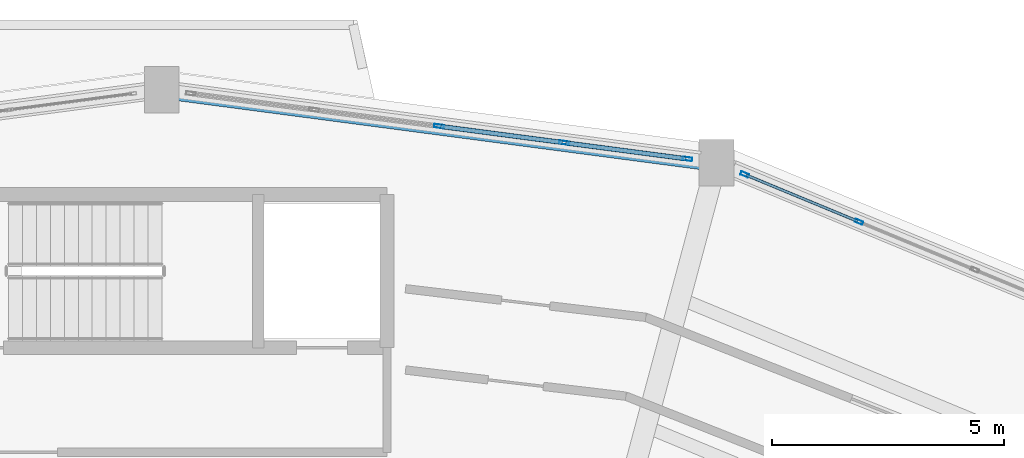
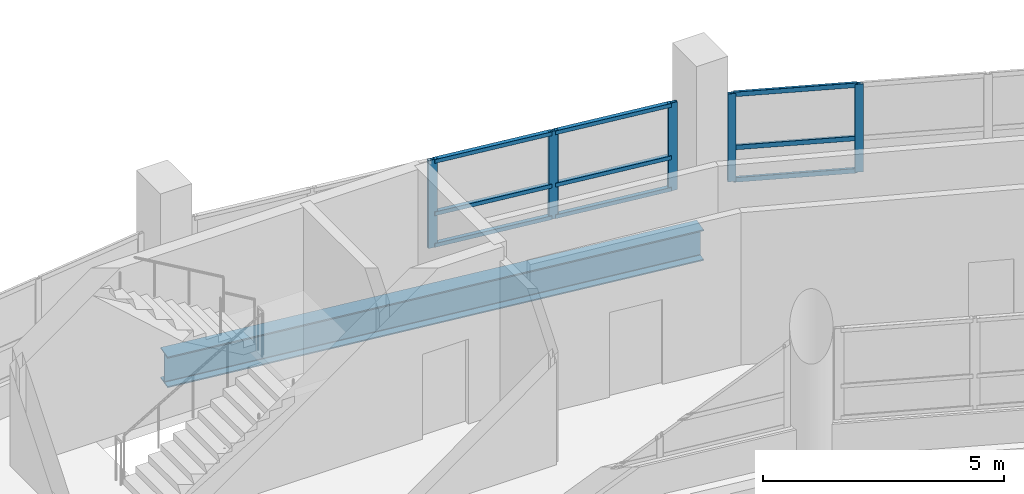
# One storey, part 71 of 128: 14 members, 1 beam, 2 elements without a shape of their own.
"""IFC4 building model written with IfcOpenShell, lengths in metres."""

from ifc_helpers import new_model, si_unit, direction, frame, origin, origin_2d, place, context, subcontext, project, spatial, hollow_rectangle, i_section, extrude, material, layer, layer_set, material_profile, profile_set, type_object, element, aggregate, save


model = new_model("IFC4")

# Units and contexts
model_context = context("Model", 3, precision=1e-05, world=origin(), true_north=direction((0.0, 1.0)))
body_context = subcontext(model_context, "Body", "Model", "MODEL_VIEW")
ifc_project = project(units=[si_unit("LENGTHUNIT", "METRE"), si_unit("AREAUNIT", "SQUARE_METRE"), si_unit("VOLUMEUNIT", "CUBIC_METRE"), si_unit("PLANEANGLEUNIT", "RADIAN"), si_unit("MASSUNIT", "GRAM", prefix="KILO")], contexts=[model_context])

# Site, building, storey
site_placement = place(None, origin())
site = spatial("IfcSite", under=ifc_project, at=site_placement, CompositionType="ELEMENT")
building_placement = place(site_placement, origin())
building = spatial("IfcBuilding", under=site, at=building_placement, Name="Vespera Passage Community Centre", CompositionType="ELEMENT")
storey_placement = place(building_placement, frame((0.0, 0.0, 4.5)))
storey = spatial("IfcBuildingStorey", under=building, at=storey_placement, Name="L01", CompositionType="ELEMENT", Elevation=4.5)

# Beam
ifc_material_1 = material(Name="Steel ASTM A992 Grade 50", Category="steel")
ifc_material_profile_1 = material_profile(ifc_material_1, i_section(OverallWidth=0.382080078125, OverallDepth=0.779296875, WebThickness=0.01806640625, FlangeThickness=0.030029296875, FilletRadius=0.0166015625, at=origin_2d()), Name="W30X191")
ifc_profile_set_1 = profile_set([ifc_material_profile_1], Name="Steel ASTM A992 Grade 50")
beam_type = type_object("IfcBeamType", Name="BM-SP-W30X191E", PredefinedType="SPANDREL", material=ifc_profile_set_1)
beam_placement = place(storey_placement, frame((89.931640625, 110.029296875, -0.629638671875), z_axis=(-0.991445178667, 0.130523782115, 0.0), x_axis=(-0.130523782115, -0.991445178667, 0.0)))
element("IfcBeam", 1, at=beam_placement, inside=storey, type_object=beam_type, Name="V4 L01 Outer Spandrel 5", PredefinedType="SPANDREL", context=body_context, shape_type="SweptSolid", body=[
    extrude(i_section(OverallWidth=0.382080078125, OverallDepth=0.779296875, WebThickness=0.01806640625, FlangeThickness=0.030029296875, FilletRadius=0.0166015625, at=origin_2d()), origin(), (0.0, 0.0, 1.0), 12.03466796875),
])

# Curtain wall, members
ifc_material_2 = material(Name="Anodized aluminium 6063-T6", Category="aluminium")
ifc_layer_1 = layer(ifc_material_2, 0.159912109375)
ifc_layer_set_1 = layer_set([ifc_layer_1], Name="Anodized aluminium 6063-T6")
curtain_wall_type_1 = type_object("IfcCurtainWallType", Name="CW-11E", PredefinedType="NOTDEFINED", material=ifc_layer_set_1)
curtain_wall_1_placement = place(storey_placement, origin())
curtain_wall_1 = element("IfcCurtainWall", 2, at=curtain_wall_1_placement, inside=storey, type_object=curtain_wall_type_1, Name="V4 L01 Outer Ribbon Curtain Wall 4", PredefinedType="NOTDEFINED")
ifc_material_3 = material(Name="Anodized aluminium 6063-T6", Category="aluminium")
ifc_material_profile_2 = material_profile(ifc_material_3, hollow_rectangle(XDim=0.074951171875, YDim=0.179931640625, WallThickness=0.0048828125, InnerFilletRadius=0.00244140625, OuterFilletRadius=0.0048828125, at=origin_2d()), Name="ALU180X75X5")
ifc_profile_set_2 = profile_set([ifc_material_profile_2], Name="Anodized aluminium 6063-T6")
member_type_1 = type_object("IfcMemberType", Name="MB-CWM-180E", PredefinedType="MULLION", material=ifc_profile_set_2)
member_1_placement = place(storey_placement, frame((90.539794921875, 109.77734375, 0.820068359375), z_axis=(0.0, 0.0, 1.0), x_axis=(0.382682936255, 0.923879738007, 0.0)))
member_1 = element("IfcMember", 3, at=member_1_placement, type_object=member_type_1, Name="CW-11E mullion 1", PredefinedType="MULLION", context=body_context, shape_type="SweptSolid", body=[
    extrude(hollow_rectangle(XDim=0.074951171875, YDim=0.179931640625, WallThickness=0.0048828125, InnerFilletRadius=0.00244140625, OuterFilletRadius=0.0048828125, at=origin_2d()), origin(), (0.0, 0.0, 1.0), 2.2255859375),
])
member_2_placement = place(storey_placement, frame((92.998046875, 108.759033203125, 0.820068359375), z_axis=(0.0, 0.0, 1.0), x_axis=(0.382682936255, 0.923879738007, 0.0)))
member_2 = element("IfcMember", 4, at=member_2_placement, type_object=member_type_1, Name="CW-11E mullion 2", PredefinedType="MULLION", context=body_context, shape_type="SweptSolid", body=[
    extrude(hollow_rectangle(XDim=0.074951171875, YDim=0.179931640625, WallThickness=0.0048828125, InnerFilletRadius=0.00244140625, OuterFilletRadius=0.0048828125, at=origin_2d()), origin(), (0.0, 0.0, 1.0), 2.2255859375),
])

ifc_material_4 = material(Name="Anodized aluminium 6063-T6", Category="aluminium")
ifc_layer_2 = layer(ifc_material_4, 0.159912109375)
ifc_layer_set_2 = layer_set([ifc_layer_2], Name="Anodized aluminium 6063-T6")
curtain_wall_type_2 = type_object("IfcCurtainWallType", Name="CW-13E", PredefinedType="NOTDEFINED", material=ifc_layer_set_2)
curtain_wall_2_placement = place(storey_placement, origin())
curtain_wall_2 = element("IfcCurtainWall", 5, at=curtain_wall_2_placement, inside=storey, type_object=curtain_wall_type_2, Name="V4 L01 Outer Ribbon Curtain Wall 5", PredefinedType="NOTDEFINED")
ifc_material_5 = material(Name="Anodized aluminium 6063-T6", Category="aluminium")
ifc_material_profile_3 = material_profile(ifc_material_5, hollow_rectangle(XDim=0.074951171875, YDim=0.2099609375, WallThickness=0.0048828125, InnerFilletRadius=0.00244140625, OuterFilletRadius=0.0048828125, at=origin_2d()), Name="ALU210X75X5")
ifc_profile_set_3 = profile_set([ifc_material_profile_3], Name="Anodized aluminium 6063-T6")
member_type_2 = type_object("IfcMemberType", Name="MB-CWM-210E", PredefinedType="MULLION", material=ifc_profile_set_3)
member_3_placement = place(storey_placement, frame((83.9658203125, 110.814697265625, 0.820068359375), z_axis=(0.0, 0.0, 1.0), x_axis=(0.130530818696, 0.991444252276, 0.0)))
member_3 = element("IfcMember", 6, at=member_3_placement, type_object=member_type_2, Name="CW-13E mullion 3", PredefinedType="MULLION", context=body_context, shape_type="SweptSolid", body=[
    extrude(hollow_rectangle(XDim=0.074951171875, YDim=0.2099609375, WallThickness=0.0048828125, InnerFilletRadius=0.00244140625, OuterFilletRadius=0.0048828125, at=origin_2d()), origin(), (0.0, 0.0, 1.0), 2.2255859375),
])
member_4_placement = place(storey_placement, frame((86.654541015625, 110.460693359375, 0.820068359375), z_axis=(0.0, 0.0, 1.0), x_axis=(0.130530818696, 0.991444252276, 0.0)))
member_4 = element("IfcMember", 7, at=member_4_placement, type_object=member_type_2, Name="CW-13E mullion 4", PredefinedType="MULLION", context=body_context, shape_type="SweptSolid", body=[
    extrude(hollow_rectangle(XDim=0.074951171875, YDim=0.2099609375, WallThickness=0.0048828125, InnerFilletRadius=0.00244140625, OuterFilletRadius=0.0048828125, at=origin_2d()), origin(), (0.0, 0.0, 1.0), 2.2255859375),
])
member_5_placement = place(storey_placement, frame((89.30615234375, 110.111572265625, 0.820068359375), z_axis=(0.0, 0.0, 1.0), x_axis=(0.130530818696, 0.991444252276, 0.0)))
member_5 = element("IfcMember", 8, at=member_5_placement, type_object=member_type_2, Name="CW-13E mullion 5", PredefinedType="MULLION", context=body_context, shape_type="SweptSolid", body=[
    extrude(hollow_rectangle(XDim=0.074951171875, YDim=0.2099609375, WallThickness=0.0048828125, InnerFilletRadius=0.00244140625, OuterFilletRadius=0.0048828125, at=origin_2d()), origin(), (0.0, 0.0, 1.0), 2.2255859375),
])
ifc_material_6 = material(Name="Anodized aluminium 6063-T6", Category="aluminium")
ifc_material_profile_4 = material_profile(ifc_material_6, hollow_rectangle(XDim=0.10009765625, YDim=0.10009765625, WallThickness=0.00390625, InnerFilletRadius=0.001953125, OuterFilletRadius=0.00390625, at=origin_2d()), Name="ALU100X100X4")
ifc_profile_set_4 = profile_set([ifc_material_profile_4], Name="Anodized aluminium 6063-T6")
member_type_3 = type_object("IfcMemberType", Name="MB-CWT-100E", PredefinedType="USERDEFINED", material=ifc_profile_set_4)
member_6_placement = place(storey_placement, frame((84.0029296875, 110.809814453125, 0.8701171875), z_axis=(0.991443263023, -0.130538332324, 0.0), x_axis=(0.130538332324, 0.991443263023, 0.0)))
member_6 = element("IfcMember", 9, at=member_6_placement, type_object=member_type_3, Name="CW-13E transom 3.1", ObjectType="TRANSOM", PredefinedType="USERDEFINED", context=body_context, shape_type="SweptSolid", body=[
    extrude(hollow_rectangle(XDim=0.10009765625, YDim=0.10009765625, WallThickness=0.00390625, InnerFilletRadius=0.001953125, OuterFilletRadius=0.00390625, at=origin_2d()), origin(), (0.0, 0.0, 1.0), 2.636962890625),
])
member_7_placement = place(storey_placement, frame((84.0029296875, 110.809814453125, 1.669921875), z_axis=(0.991443263023, -0.130538332324, 0.0), x_axis=(0.130538332324, 0.991443263023, 0.0)))
member_7 = element("IfcMember", 10, at=member_7_placement, type_object=member_type_3, Name="CW-13E transom 3.2", ObjectType="TRANSOM", PredefinedType="USERDEFINED", context=body_context, shape_type="SweptSolid", body=[
    extrude(hollow_rectangle(XDim=0.10009765625, YDim=0.10009765625, WallThickness=0.00390625, InnerFilletRadius=0.001953125, OuterFilletRadius=0.00390625, at=origin_2d()), origin(), (0.0, 0.0, 1.0), 2.636962890625),
])
member_8_placement = place(storey_placement, frame((84.0029296875, 110.809814453125, 2.99560546875), z_axis=(0.991443263023, -0.130538332324, 0.0), x_axis=(0.130538332324, 0.991443263023, 0.0)))
member_8 = element("IfcMember", 11, at=member_8_placement, type_object=member_type_3, Name="CW-13E transom 3.3", ObjectType="TRANSOM", PredefinedType="USERDEFINED", context=body_context, shape_type="SweptSolid", body=[
    extrude(hollow_rectangle(XDim=0.10009765625, YDim=0.10009765625, WallThickness=0.00390625, InnerFilletRadius=0.001953125, OuterFilletRadius=0.00390625, at=origin_2d()), origin(), (0.0, 0.0, 1.0), 2.636962890625),
])
member_9_placement = place(storey_placement, frame((86.69189453125, 110.455810546875, 0.8701171875), z_axis=(0.991441503566, -0.130551694767, 0.0), x_axis=(0.130551694767, 0.991441503566, 0.0)))
member_9 = element("IfcMember", 12, at=member_9_placement, type_object=member_type_3, Name="CW-13E transom 4.1", ObjectType="TRANSOM", PredefinedType="USERDEFINED", context=body_context, shape_type="SweptSolid", body=[
    extrude(hollow_rectangle(XDim=0.10009765625, YDim=0.10009765625, WallThickness=0.00390625, InnerFilletRadius=0.001953125, OuterFilletRadius=0.00390625, at=origin_2d()), origin(), (0.0, 0.0, 1.0), 2.599365234375),
])
member_10_placement = place(storey_placement, frame((86.69189453125, 110.455810546875, 1.669921875), z_axis=(0.991441503566, -0.130551694767, 0.0), x_axis=(0.130551694767, 0.991441503566, 0.0)))
member_10 = element("IfcMember", 13, at=member_10_placement, type_object=member_type_3, Name="CW-13E transom 4.2", ObjectType="TRANSOM", PredefinedType="USERDEFINED", context=body_context, shape_type="SweptSolid", body=[
    extrude(hollow_rectangle(XDim=0.10009765625, YDim=0.10009765625, WallThickness=0.00390625, InnerFilletRadius=0.001953125, OuterFilletRadius=0.00390625, at=origin_2d()), origin(), (0.0, 0.0, 1.0), 2.599365234375),
])
member_11_placement = place(storey_placement, frame((86.69189453125, 110.455810546875, 2.99560546875), z_axis=(0.991441503566, -0.130551694767, 0.0), x_axis=(0.130551694767, 0.991441503566, 0.0)))
member_11 = element("IfcMember", 14, at=member_11_placement, type_object=member_type_3, Name="CW-13E transom 4.3", ObjectType="TRANSOM", PredefinedType="USERDEFINED", context=body_context, shape_type="SweptSolid", body=[
    extrude(hollow_rectangle(XDim=0.10009765625, YDim=0.10009765625, WallThickness=0.00390625, InnerFilletRadius=0.001953125, OuterFilletRadius=0.00390625, at=origin_2d()), origin(), (0.0, 0.0, 1.0), 2.599365234375),
])
aggregate(curtain_wall_2, [member_3, member_4, member_5, member_6, member_7, member_8, member_9, member_10, member_11])

# Member
ifc_material_7 = material(Name="Anodized aluminium 6063-T6", Category="aluminium")
ifc_material_profile_5 = material_profile(ifc_material_7, hollow_rectangle(XDim=0.06005859375, YDim=0.1201171875, WallThickness=0.00390625, InnerFilletRadius=0.001953125, OuterFilletRadius=0.00390625, at=origin_2d()), Name="ALU120X60X4")
ifc_profile_set_5 = profile_set([ifc_material_profile_5], Name="Anodized aluminium 6063-T6")
member_type_4 = type_object("IfcMemberType", Name="MB-CWT-120E", PredefinedType="USERDEFINED", material=ifc_profile_set_5)
member_12_placement = place(storey_placement, frame((90.574462890625, 109.762939453125, 0.85009765625), z_axis=(0.923882193286, -0.382677008624, 0.0), x_axis=(0.382677008624, 0.923882193286, 0.0)))
member_12 = element("IfcMember", 15, at=member_12_placement, type_object=member_type_4, Name="CW-11E transom 1.1", ObjectType="TRANSOM", PredefinedType="USERDEFINED", context=body_context, shape_type="SweptSolid", body=[
    extrude(hollow_rectangle(XDim=0.06005859375, YDim=0.1201171875, WallThickness=0.00390625, InnerFilletRadius=0.001953125, OuterFilletRadius=0.00390625, at=origin_2d()), origin(), (0.0, 0.0, 1.0), 2.585693359375),
])

member_13_placement = place(storey_placement, frame((90.574462890625, 109.762939453125, 1.669921875), z_axis=(0.923882193286, -0.382677008624, 0.0), x_axis=(0.382677008624, 0.923882193286, 0.0)))
member_13 = element("IfcMember", 16, at=member_13_placement, type_object=member_type_4, Name="CW-11E transom 1.2", ObjectType="TRANSOM", PredefinedType="USERDEFINED", context=body_context, shape_type="SweptSolid", body=[
    extrude(hollow_rectangle(XDim=0.06005859375, YDim=0.1201171875, WallThickness=0.00390625, InnerFilletRadius=0.001953125, OuterFilletRadius=0.00390625, at=origin_2d()), origin(), (0.0, 0.0, 1.0), 2.585693359375),
])

member_14_placement = place(storey_placement, frame((90.574462890625, 109.762939453125, 3.015625), z_axis=(0.923882193286, -0.382677008624, 0.0), x_axis=(0.382677008624, 0.923882193286, 0.0)))
member_14 = element("IfcMember", 17, at=member_14_placement, type_object=member_type_4, Name="CW-11E transom 1.3", ObjectType="TRANSOM", PredefinedType="USERDEFINED", context=body_context, shape_type="SweptSolid", body=[
    extrude(hollow_rectangle(XDim=0.06005859375, YDim=0.1201171875, WallThickness=0.00390625, InnerFilletRadius=0.001953125, OuterFilletRadius=0.00390625, at=origin_2d()), origin(), (0.0, 0.0, 1.0), 2.585693359375),
])

aggregate(curtain_wall_1, [member_1, member_2, member_12, member_13, member_14])

save(model, "model.ifc")
